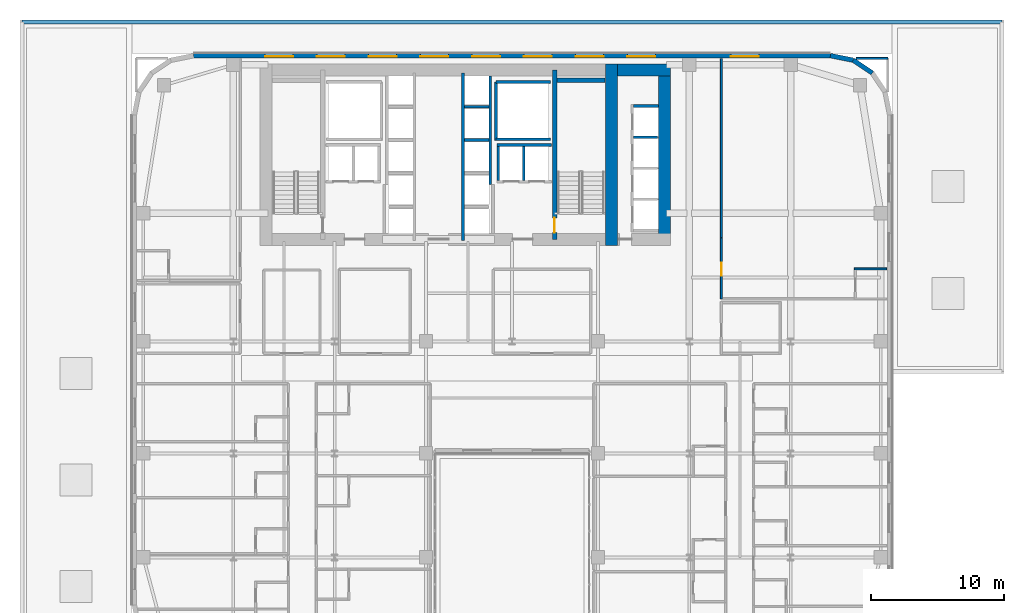
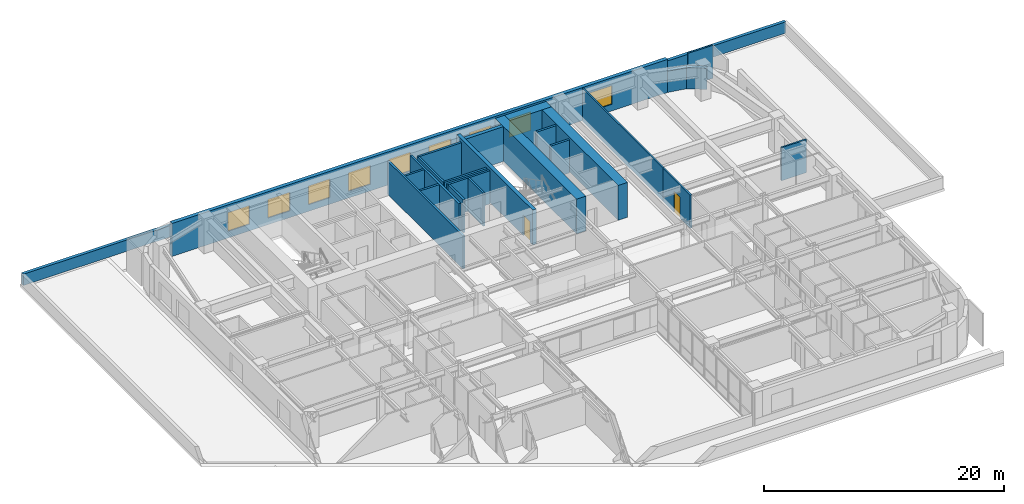
# One storey, part 18 of 25: 25 walls, 9 windows, 2 doors, 11 openings.
"""IFC4 building model written with IfcOpenShell, lengths in metres."""

from ifc_helpers import new_model, si_unit, direction, frame, frame_2d, origin, place, context, subcontext, project, spatial, rectangle, extrude, source, transform, mapped, material, layer, layer_set, type_object, type_shapes, element, fill, save


model = new_model("IFC4")

# Units and contexts
model_context = context("Model", 3, precision=1e-05, world=origin(), true_north=direction((0.0, 1.0)))
body_context = subcontext(model_context, "Body", "Model", "MODEL_VIEW")
ifc_project = project(units=[si_unit("LENGTHUNIT", "METRE"), si_unit("AREAUNIT", "SQUARE_METRE"), si_unit("VOLUMEUNIT", "CUBIC_METRE"), si_unit("PLANEANGLEUNIT", "RADIAN"), si_unit("MASSUNIT", "GRAM", prefix="KILO")], contexts=[model_context])

# Site, building, storey
site_placement = place(None, origin())
site = spatial("IfcSite", under=ifc_project, at=site_placement, CompositionType="ELEMENT")
building_placement = place(site_placement, origin())
building = spatial("IfcBuilding", under=site, at=building_placement, Name="Tolvann Quenvar Hotel", CompositionType="ELEMENT")
storey_placement = place(building_placement, frame((0.0, 0.0, 32.0)))
storey = spatial("IfcBuildingStorey", under=building, at=storey_placement, Name="L06", CompositionType="ELEMENT", Elevation=32.0)

# Walls
ifc_material_1 = material(Name="Concrete S80 (80 MPa)", Category="concrete")
ifc_layer_1 = layer(ifc_material_1, 0.89990234375)
ifc_layer_set_1 = layer_set([ifc_layer_1], Name="Concrete S80 (80 MPa)")
wall_type_1 = type_object("IfcWallType", Name="WALL_CORE_900", PredefinedType="SHEAR", material=ifc_layer_set_1)
wall_1_placement = place(storey_placement, frame((35.949951171875, 31.60009765625, 0.0), z_axis=(0.0, 0.0, 1.0), x_axis=(0.0, 1.0, 0.0)))
element("IfcWall", 1, at=wall_1_placement, inside=storey, type_object=wall_type_1, Name="Rear Core E Shear Wall (L06)", PredefinedType="SHEAR", context=body_context, shape_type="SweptSolid", body=[
    extrude(rectangle(XDim=13.599853515625, YDim=0.89990234375, at=frame_2d((6.7998046875, 0.0))), origin(), (0.0, 0.0, 1.0), 3.550048828125),
])
wall_2_placement = place(storey_placement, frame((36.39990234375, 44.75, 0.0), z_axis=(0.0, 0.0, 1.0), x_axis=(1.0, 0.0, 0.0)))
element("IfcWall", 2, at=wall_2_placement, inside=storey, type_object=wall_type_1, Name="Core East Annex Shear Wall ANN-N (L06)", PredefinedType="SHEAR", context=body_context, shape_type="SweptSolid", body=[
    extrude(rectangle(XDim=4.0, YDim=0.89990234375, at=frame_2d((2.0, 0.0))), origin(), (0.0, 0.0, 1.0), 3.550048828125),
])
wall_3_placement = place(storey_placement, frame((39.949951171875, 31.60009765625, 0.0), z_axis=(0.0, 0.0, 1.0), x_axis=(0.0, 1.0, 0.0)))
element("IfcWall", 3, at=wall_3_placement, inside=storey, type_object=wall_type_1, Name="Core East Annex Shear Wall ANN-E (L06)", PredefinedType="SHEAR", context=body_context, shape_type="SweptSolid", body=[
    extrude(rectangle(XDim=13.599853515625, YDim=0.89990234375, at=frame_2d((6.7998046875, 0.0))), origin(), (0.0, 0.0, 1.0), 3.550048828125),
])

# Wall, opening, door
ifc_material_2 = material(Name="Concrete S65 (65 MPa)", Category="concrete")
ifc_layer_2 = layer(ifc_material_2, 0.35009765625)
ifc_layer_set_2 = layer_set([ifc_layer_2], Name="Concrete S65 (65 MPa)")
wall_type_2 = type_object("IfcWallType", Name="WALL_CORE_INT_350", PredefinedType="SHEAR", material=ifc_layer_set_2)
wall_4_placement = place(storey_placement, frame((31.699951171875, 32.050048828125, 0.0), z_axis=(0.0, 0.0, 1.0), x_axis=(0.0, 1.0, 0.0)))
wall_4 = element("IfcWall", 4, at=wall_4_placement, inside=storey, type_object=wall_type_2, Name="Core Internal Web Shear Wall WEB-E (L06)", PredefinedType="SHEAR", context=body_context, shape_type="SweptSolid", body=[
    extrude(rectangle(XDim=12.699951171875, YDim=0.35009765625, at=frame_2d((6.35009765625, 0.0))), origin(), (0.0, 0.0, 1.0), 3.550048828125),
])
opening_1_placement = place(wall_4_placement, frame((1.60009765625, 0.0, 0.0), z_axis=(0.0, 0.0, 1.0), x_axis=(-1.0, 0.0, 0.0)))
opening_1 = element("IfcOpeningElement", 5, at=opening_1_placement, cuts=wall_4, Name="Opening FD-120", PredefinedType="OPENING", context=body_context, shape_type="SweptSolid", body=[
    extrude(rectangle(XDim=1.10009765625, YDim=2.1201171875, at=frame_2d((0.550048828125, 1.06005859375))), frame((0.0, 0.18505859375, 0.0), z_axis=(0.0, -1.0, 0.0), x_axis=(1.0, 0.0, 0.0)), (0.0, 0.0, 1.0), 0.3701171875),
])
ifc_material_3 = material(Name="Pressed galvanised steel fire-rated door set", Category="steel")
door_type_1 = type_object("IfcDoorType", Name="DOOR_FIRE_STAIR_1100", OperationType="NOTDEFINED", PredefinedType="DOOR", material=ifc_material_3)
shared_shape_1 = source(origin(), body_context, "Body", "SweptSolid", [
    extrude(rectangle(XDim=1.10009765625, YDim=2.1201171875, at=frame_2d((0.550048828125, 1.06005859375))), frame((0.0, 0.02490234375, 0.0), z_axis=(0.0, -1.0, 0.0), x_axis=(1.0, 0.0, 0.0)), (0.0, 0.0, 1.0), 0.050048828125),
])
type_shapes(door_type_1, [shared_shape_1])
door_1_placement = place(opening_1_placement, origin())
door_1 = element("IfcDoor", 6, at=door_1_placement, inside=storey, type_object=door_type_1, Name="Exit Stair ST-C2 Fire Door (L06)", OperationType="SINGLE_SWING_RIGHT", OverallHeight=2.1201171875, OverallWidth=1.10009765625, PredefinedType="DOOR", context=body_context, shape_type="MappedRepresentation", body=[
    mapped(shared_shape_1, transform((0.0, 0.0, 0.0), x_axis=(1.0, 0.0, 0.0), y_axis=(0.0, 1.0, 0.0), z_axis=(0.0, 0.0, 1.0), scale=1.0)),
])
fill(opening_1, door_1)

# Walls
wall_5_placement = place(storey_placement, frame((31.8798828125, 43.97509765625, 0.0), z_axis=(0.0, 0.0, 1.0), x_axis=(1.0, 0.0, 0.0)))
element("IfcWall", 7, at=wall_5_placement, inside=storey, type_object=wall_type_2, Name="Core Stair North Closing Shear Wall STC2-N (L06)", PredefinedType="SHEAR", context=body_context, shape_type="SweptSolid", body=[
    extrude(rectangle(XDim=3.60009765625, YDim=0.35009765625, at=frame_2d((1.800048828125, 0.0))), origin(), (0.0, 0.0, 1.0), 3.550048828125),
])
ifc_material_4 = material(Name="Kiln-fired red and buff architectural clay brickwork and terracotta masonry", Category="masonry")
ifc_layer_3 = layer(ifc_material_4, 0.35009765625)
ifc_layer_set_3 = layer_set([ifc_layer_3], Name="Kiln-fired red and buff architectural clay brickwork and terracotta masonry")
wall_type_3 = type_object("IfcWallType", Name="WALL_EXT_BRICK_350", PredefinedType="SOLIDWALL", material=ifc_layer_set_3)
wall_6_placement = place(storey_placement, frame((55.526611328125, 44.526611328125, 0.0), z_axis=(0.0, 0.0, 1.0), x_axis=(-0.831483840845, 0.55554893791, 0.0)))
element("IfcWall", 8, at=wall_6_placement, inside=storey, type_object=wall_type_3, Name="Exterior Chicago Brick Wall L06-E16", PredefinedType="SOLIDWALL", context=body_context, shape_type="SweptSolid", body=[
    extrude(rectangle(XDim=1.725341796875, YDim=0.35009765625, at=frame_2d((0.86279296875, 0.0))), origin(), (0.0, 0.0, 1.0), 2.159912109375),
])
wall_7_placement = place(storey_placement, frame((54.092041015625, 45.485107421875, 0.0), z_axis=(0.0, 0.0, 1.0), x_axis=(-0.980800971659, 0.195011420161, 0.0)))
element("IfcWall", 9, at=wall_7_placement, inside=storey, type_object=wall_type_3, Name="Exterior Chicago Brick Wall L06-E17", PredefinedType="SOLIDWALL", context=body_context, shape_type="SweptSolid", body=[
    extrude(rectangle(XDim=1.74267578125, YDim=0.35009765625, at=frame_2d((0.871337890625, 0.0))), origin(), (0.0, 0.0, 1.0), 2.159912109375),
])

# Wall, openings, windows
wall_8_placement = place(storey_placement, frame((52.3828125, 45.824951171875, 0.0), z_axis=(0.0, 0.0, 1.0), x_axis=(-1.0, 0.0, 0.0)))
wall_8 = element("IfcWall", 10, at=wall_8_placement, inside=storey, type_object=wall_type_3, Name="Exterior Chicago Brick Wall L06-E18", PredefinedType="SOLIDWALL", context=body_context, shape_type="SweptSolid", body=[
    extrude(rectangle(XDim=47.765625, YDim=0.35009765625, at=frame_2d((23.8828125, 0.0))), origin(), (0.0, 0.0, 1.0), 3.3701171875),
])
opening_2_placement = place(wall_8_placement, frame((5.37109375, 0.0, 0.679931640625)))
opening_2 = element("IfcOpeningElement", 11, at=opening_2_placement, cuts=wall_8, Name="Opening W-02", PredefinedType="OPENING", context=body_context, shape_type="SweptSolid", body=[
    extrude(rectangle(XDim=2.10009765625, YDim=1.89990234375, at=frame_2d((1.050048828125, 0.949951171875))), frame((0.0, 0.18505859375, 0.0), z_axis=(0.0, -1.0, 0.0), x_axis=(1.0, 0.0, 0.0)), (0.0, 0.0, 1.0), 0.3701171875),
])
opening_3_placement = place(wall_8_placement, frame((13.132080078125, 0.0, 0.679931640625)))
opening_3 = element("IfcOpeningElement", 12, at=opening_3_placement, cuts=wall_8, Name="Opening W-02", PredefinedType="OPENING", context=body_context, shape_type="SweptSolid", body=[
    extrude(rectangle(XDim=2.10009765625, YDim=1.89990234375, at=frame_2d((1.050048828125, 0.949951171875))), frame((0.0, 0.18505859375, 0.0), z_axis=(0.0, -1.0, 0.0), x_axis=(1.0, 0.0, 0.0)), (0.0, 0.0, 1.0), 0.3701171875),
])
opening_4_placement = place(wall_8_placement, frame((17.011962890625, 0.0, 0.679931640625)))
opening_4 = element("IfcOpeningElement", 13, at=opening_4_placement, cuts=wall_8, Name="Opening W-02", PredefinedType="OPENING", context=body_context, shape_type="SweptSolid", body=[
    extrude(rectangle(XDim=2.10009765625, YDim=1.89990234375, at=frame_2d((1.050048828125, 0.949951171875))), frame((0.0, 0.18505859375, 0.0), z_axis=(0.0, -1.0, 0.0), x_axis=(1.0, 0.0, 0.0)), (0.0, 0.0, 1.0), 0.3701171875),
])
opening_5_placement = place(wall_8_placement, frame((20.89306640625, 0.0, 0.679931640625)))
opening_5 = element("IfcOpeningElement", 14, at=opening_5_placement, cuts=wall_8, Name="Opening W-02", PredefinedType="OPENING", context=body_context, shape_type="SweptSolid", body=[
    extrude(rectangle(XDim=2.10009765625, YDim=1.89990234375, at=frame_2d((1.050048828125, 0.949951171875))), frame((0.0, 0.18505859375, 0.0), z_axis=(0.0, -1.0, 0.0), x_axis=(1.0, 0.0, 0.0)), (0.0, 0.0, 1.0), 0.3701171875),
])
opening_6_placement = place(wall_8_placement, frame((24.77294921875, 0.0, 0.679931640625)))
opening_6 = element("IfcOpeningElement", 15, at=opening_6_placement, cuts=wall_8, Name="Opening W-02", PredefinedType="OPENING", context=body_context, shape_type="SweptSolid", body=[
    extrude(rectangle(XDim=2.10009765625, YDim=1.89990234375, at=frame_2d((1.050048828125, 0.949951171875))), frame((0.0, 0.18505859375, 0.0), z_axis=(0.0, -1.0, 0.0), x_axis=(1.0, 0.0, 0.0)), (0.0, 0.0, 1.0), 0.3701171875),
])
opening_7_placement = place(wall_8_placement, frame((28.654052734375, 0.0, 0.679931640625)))
opening_7 = element("IfcOpeningElement", 16, at=opening_7_placement, cuts=wall_8, Name="Opening W-02", PredefinedType="OPENING", context=body_context, shape_type="SweptSolid", body=[
    extrude(rectangle(XDim=2.10009765625, YDim=1.89990234375, at=frame_2d((1.050048828125, 0.949951171875))), frame((0.0, 0.18505859375, 0.0), z_axis=(0.0, -1.0, 0.0), x_axis=(1.0, 0.0, 0.0)), (0.0, 0.0, 1.0), 0.3701171875),
])
opening_8_placement = place(wall_8_placement, frame((32.533935546875, 0.0, 0.679931640625)))
opening_8 = element("IfcOpeningElement", 17, at=opening_8_placement, cuts=wall_8, Name="Opening W-02", PredefinedType="OPENING", context=body_context, shape_type="SweptSolid", body=[
    extrude(rectangle(XDim=2.10009765625, YDim=1.89990234375, at=frame_2d((1.050048828125, 0.949951171875))), frame((0.0, 0.18505859375, 0.0), z_axis=(0.0, -1.0, 0.0), x_axis=(1.0, 0.0, 0.0)), (0.0, 0.0, 1.0), 0.3701171875),
])
opening_9_placement = place(wall_8_placement, frame((36.4140625, 0.0, 0.679931640625)))
opening_9 = element("IfcOpeningElement", 18, at=opening_9_placement, cuts=wall_8, Name="Opening W-02", PredefinedType="OPENING", context=body_context, shape_type="SweptSolid", body=[
    extrude(rectangle(XDim=2.10009765625, YDim=1.89990234375, at=frame_2d((1.050048828125, 0.949951171875))), frame((0.0, 0.18505859375, 0.0), z_axis=(0.0, -1.0, 0.0), x_axis=(1.0, 0.0, 0.0)), (0.0, 0.0, 1.0), 0.3701171875),
])
opening_10_placement = place(wall_8_placement, frame((40.294921875, 0.0, 0.679931640625)))
opening_10 = element("IfcOpeningElement", 19, at=opening_10_placement, cuts=wall_8, Name="Opening W-02", PredefinedType="OPENING", context=body_context, shape_type="SweptSolid", body=[
    extrude(rectangle(XDim=2.10009765625, YDim=1.89990234375, at=frame_2d((1.050048828125, 0.949951171875))), frame((0.0, 0.18505859375, 0.0), z_axis=(0.0, -1.0, 0.0), x_axis=(1.0, 0.0, 0.0)), (0.0, 0.0, 1.0), 0.3701171875),
])
ifc_material_5 = material(Name="Thermally broken bronze-anodised aluminium frame with double low-E glazing", Category="aluminium")
window_type = type_object("IfcWindowType", Name="WIN_CHI_2100x2050", PartitioningType="TRIPLE_PANEL_HORIZONTAL", PredefinedType="WINDOW", material=ifc_material_5)
shared_shape_2 = source(origin(), body_context, "Body", "SweptSolid", [
    extrude(rectangle(XDim=2.10009765625, YDim=1.89990234375, at=frame_2d((1.050048828125, 0.949951171875))), frame((0.0, 0.090087890625, 0.0), z_axis=(0.0, -1.0, 0.0), x_axis=(1.0, 0.0, 0.0)), (0.0, 0.0, 1.0), 0.06005859375),
])
type_shapes(window_type, [shared_shape_2])
window_1_placement = place(opening_2_placement, origin())
window_1 = element("IfcWindow", 20, at=window_1_placement, inside=storey, type_object=window_type, Name="Chicago Window W-02 (EW-L06-E18-W01)", OverallHeight=1.89990234375, OverallWidth=2.10009765625, PartitioningType="TRIPLE_PANEL_HORIZONTAL", PredefinedType="WINDOW", context=body_context, shape_type="MappedRepresentation", body=[
    mapped(shared_shape_2, transform((0.0, 0.0, 0.0), x_axis=(1.0, 0.0, 0.0), y_axis=(0.0, 1.0, 0.0), z_axis=(0.0, 0.0, 1.0), scale=1.0)),
])
fill(opening_2, window_1)
window_2_placement = place(opening_3_placement, origin())
window_2 = element("IfcWindow", 21, at=window_2_placement, inside=storey, type_object=window_type, Name="Chicago Window W-02 (EW-L06-E18-W02)", OverallHeight=1.89990234375, OverallWidth=2.10009765625, PartitioningType="TRIPLE_PANEL_HORIZONTAL", PredefinedType="WINDOW", context=body_context, shape_type="MappedRepresentation", body=[
    mapped(shared_shape_2, transform((0.0, 0.0, 0.0), x_axis=(1.0, 0.0, 0.0), y_axis=(0.0, 1.0, 0.0), z_axis=(0.0, 0.0, 1.0), scale=1.0)),
])
fill(opening_3, window_2)
window_3_placement = place(opening_4_placement, origin())
window_3 = element("IfcWindow", 22, at=window_3_placement, inside=storey, type_object=window_type, Name="Chicago Window W-02 (EW-L06-E18-W03)", OverallHeight=1.89990234375, OverallWidth=2.10009765625, PartitioningType="TRIPLE_PANEL_HORIZONTAL", PredefinedType="WINDOW", context=body_context, shape_type="MappedRepresentation", body=[
    mapped(shared_shape_2, transform((0.0, 0.0, 0.0), x_axis=(1.0, 0.0, 0.0), y_axis=(0.0, 1.0, 0.0), z_axis=(0.0, 0.0, 1.0), scale=1.0)),
])
fill(opening_4, window_3)
window_4_placement = place(opening_5_placement, origin())
window_4 = element("IfcWindow", 23, at=window_4_placement, inside=storey, type_object=window_type, Name="Chicago Window W-02 (EW-L06-E18-W04)", OverallHeight=1.89990234375, OverallWidth=2.10009765625, PartitioningType="TRIPLE_PANEL_HORIZONTAL", PredefinedType="WINDOW", context=body_context, shape_type="MappedRepresentation", body=[
    mapped(shared_shape_2, transform((0.0, 0.0, 0.0), x_axis=(1.0, 0.0, 0.0), y_axis=(0.0, 1.0, 0.0), z_axis=(0.0, 0.0, 1.0), scale=1.0)),
])
fill(opening_5, window_4)
window_5_placement = place(opening_6_placement, origin())
window_5 = element("IfcWindow", 24, at=window_5_placement, inside=storey, type_object=window_type, Name="Chicago Window W-02 (EW-L06-E18-W05)", OverallHeight=1.89990234375, OverallWidth=2.10009765625, PartitioningType="TRIPLE_PANEL_HORIZONTAL", PredefinedType="WINDOW", context=body_context, shape_type="MappedRepresentation", body=[
    mapped(shared_shape_2, transform((0.0, 0.0, 0.0), x_axis=(1.0, 0.0, 0.0), y_axis=(0.0, 1.0, 0.0), z_axis=(0.0, 0.0, 1.0), scale=1.0)),
])
fill(opening_6, window_5)
window_6_placement = place(opening_7_placement, origin())
window_6 = element("IfcWindow", 25, at=window_6_placement, inside=storey, type_object=window_type, Name="Chicago Window W-02 (EW-L06-E18-W06)", OverallHeight=1.89990234375, OverallWidth=2.10009765625, PartitioningType="TRIPLE_PANEL_HORIZONTAL", PredefinedType="WINDOW", context=body_context, shape_type="MappedRepresentation", body=[
    mapped(shared_shape_2, transform((0.0, 0.0, 0.0), x_axis=(1.0, 0.0, 0.0), y_axis=(0.0, 1.0, 0.0), z_axis=(0.0, 0.0, 1.0), scale=1.0)),
])
fill(opening_7, window_6)
window_7_placement = place(opening_8_placement, origin())
window_7 = element("IfcWindow", 26, at=window_7_placement, inside=storey, type_object=window_type, Name="Chicago Window W-02 (EW-L06-E18-W07)", OverallHeight=1.89990234375, OverallWidth=2.10009765625, PartitioningType="TRIPLE_PANEL_HORIZONTAL", PredefinedType="WINDOW", context=body_context, shape_type="MappedRepresentation", body=[
    mapped(shared_shape_2, transform((0.0, 0.0, 0.0), x_axis=(1.0, 0.0, 0.0), y_axis=(0.0, 1.0, 0.0), z_axis=(0.0, 0.0, 1.0), scale=1.0)),
])
fill(opening_8, window_7)
window_8_placement = place(opening_9_placement, origin())
window_8 = element("IfcWindow", 27, at=window_8_placement, inside=storey, type_object=window_type, Name="Chicago Window W-02 (EW-L06-E18-W08)", OverallHeight=1.89990234375, OverallWidth=2.10009765625, PartitioningType="TRIPLE_PANEL_HORIZONTAL", PredefinedType="WINDOW", context=body_context, shape_type="MappedRepresentation", body=[
    mapped(shared_shape_2, transform((0.0, 0.0, 0.0), x_axis=(1.0, 0.0, 0.0), y_axis=(0.0, 1.0, 0.0), z_axis=(0.0, 0.0, 1.0), scale=1.0)),
])
fill(opening_9, window_8)
window_9_placement = place(opening_10_placement, origin())
window_9 = element("IfcWindow", 28, at=window_9_placement, inside=storey, type_object=window_type, Name="Chicago Window W-02 (EW-L06-E18-W09)", OverallHeight=1.89990234375, OverallWidth=2.10009765625, PartitioningType="TRIPLE_PANEL_HORIZONTAL", PredefinedType="WINDOW", context=body_context, shape_type="MappedRepresentation", body=[
    mapped(shared_shape_2, transform((0.0, 0.0, 0.0), x_axis=(1.0, 0.0, 0.0), y_axis=(0.0, 1.0, 0.0), z_axis=(0.0, 0.0, 1.0), scale=1.0)),
])
fill(opening_10, window_9)

# Walls
ifc_layer_4 = layer(ifc_material_4, 0.300048828125)
ifc_layer_set_4 = layer_set([ifc_layer_4], Name="Kiln-fired red and buff architectural clay brickwork and terracotta masonry")
wall_type_4 = type_object("IfcWallType", Name="WALL_PARAPET_300", PredefinedType="PARAPET", material=ifc_layer_set_4)
wall_9_placement = place(storey_placement, frame((-8.25, 48.35009765625, 0.0), z_axis=(0.0, 0.0, 1.0), x_axis=(1.0, 0.0, 0.0)))
element("IfcWall", 29, at=wall_9_placement, inside=storey, type_object=wall_type_4, Name="Podium Roof Parapet POD-N", PredefinedType="PARAPET", context=body_context, shape_type="SweptSolid", body=[
    extrude(rectangle(XDim=73.5, YDim=0.300048828125, at=frame_2d((36.75, 0.0))), origin(), (0.0, 0.0, 1.0), 1.14990234375),
])
ifc_material_6 = material(Name="Acoustic twin-stud fire-rated gypsum plasterboard partition")
ifc_layer_5 = layer(ifc_material_6, 0.14990234375)
ifc_layer_set_5 = layer_set([ifc_layer_5], Name="Acoustic twin-stud fire-rated gypsum plasterboard partition")
wall_type_5 = type_object("IfcWallType", Name="WALL_PART_SUITE_150", PredefinedType="PARTITIONING", material=ifc_layer_set_5)
wall_10_placement = place(storey_placement, frame((54.179931640625, 29.830078125, 0.0), z_axis=(0.0, 0.0, 1.0), x_axis=(1.0, 0.0, 0.0)))
element("IfcWall", 30, at=wall_10_placement, inside=storey, type_object=wall_type_5, Name="Interior Partition PT-SPC-L06-ENS-NE01-N", PredefinedType="PARTITIONING", context=body_context, shape_type="SweptSolid", body=[
    extrude(rectangle(XDim=2.4150390625, YDim=0.14990234375, at=frame_2d((1.20751953125, 0.0))), origin(), (0.0, 0.0, 1.0), 3.3701171875),
])

# Wall, opening, door
wall_11_placement = place(storey_placement, frame((44.199951171875, 27.580078125, 0.0), z_axis=(0.0, 0.0, 1.0), x_axis=(0.0, 1.0, 0.0)))
wall_11 = element("IfcWall", 31, at=wall_11_placement, inside=storey, type_object=wall_type_5, Name="Interior Partition PT-SPC-L06-RM-NE01-ENT", PredefinedType="PARTITIONING", context=body_context, shape_type="SweptSolid", body=[
    extrude(rectangle(XDim=4.579833984375, YDim=0.14990234375, at=frame_2d((2.2900390625, 0.0))), origin(), (0.0, 0.0, 1.0), 3.3701171875),
])
opening_11_placement = place(wall_11_placement, frame((1.7451171875, 0.0, 0.0)))
opening_11 = element("IfcOpeningElement", 32, at=opening_11_placement, cuts=wall_11, Name="Opening SD-01", PredefinedType="OPENING", context=body_context, shape_type="SweptSolid", body=[
    extrude(rectangle(XDim=0.97998046875, YDim=2.1201171875, at=frame_2d((0.489990234375, 1.06005859375))), frame((0.0, 0.0849609375, 0.0), z_axis=(0.0, -1.0, 0.0), x_axis=(1.0, 0.0, 0.0)), (0.0, 0.0, 1.0), 0.169921875),
])
ifc_material_7 = material(Name="Solid-core American oak acoustic fire door leaf in steel frame", Category="steel")
door_type_2 = type_object("IfcDoorType", Name="DOOR_SUITE_980", OperationType="NOTDEFINED", PredefinedType="DOOR", material=ifc_material_7)
shared_shape_3 = source(origin(), body_context, "Body", "SweptSolid", [
    extrude(rectangle(XDim=0.97998046875, YDim=2.1201171875, at=frame_2d((0.489990234375, 1.06005859375))), frame((0.0, 0.02490234375, 0.0), z_axis=(0.0, -1.0, 0.0), x_axis=(1.0, 0.0, 0.0)), (0.0, 0.0, 1.0), 0.050048828125),
])
type_shapes(door_type_2, [shared_shape_3])
door_2_placement = place(opening_11_placement, origin())
door_2 = element("IfcDoor", 33, at=door_2_placement, inside=storey, type_object=door_type_2, Name="Interior Door DOOR-SPC-L06-RM-NE01", OperationType="SINGLE_SWING_RIGHT", OverallHeight=2.1201171875, OverallWidth=0.97998046875, PredefinedType="DOOR", context=body_context, shape_type="MappedRepresentation", body=[
    mapped(shared_shape_3, transform((0.0, 0.0, 0.0), x_axis=(1.0, 0.0, 0.0), y_axis=(0.0, 1.0, 0.0), z_axis=(0.0, 0.0, 1.0), scale=1.0)),
])
fill(opening_11, door_2)

# Walls
wall_12_placement = place(storey_placement, frame((54.303955078125, 45.6201171875, 0.0), z_axis=(0.0, 0.0, 1.0), x_axis=(1.0, 0.0, 0.0)))
element("IfcWall", 34, at=wall_12_placement, inside=storey, type_object=wall_type_5, Name="Interior Partition PT-SPC-L06-RM-NE01-E5", PredefinedType="PARTITIONING", context=body_context, shape_type="SweptSolid", body=[
    extrude(rectangle(XDim=2.39599609375, YDim=0.14990234375, at=frame_2d((1.197998046875, 0.0))), origin(), (0.0, 0.0, 1.0), 3.3701171875),
])
wall_13_placement = place(storey_placement, frame((44.199951171875, 32.169921875, 0.0), z_axis=(0.0, 0.0, 1.0), x_axis=(0.0, 1.0, 0.0)))
element("IfcWall", 35, at=wall_13_placement, inside=storey, type_object=wall_type_5, Name="Interior Partition PT-SPC-L06-RM-NE01-E6", PredefinedType="PARTITIONING", context=body_context, shape_type="SweptSolid", body=[
    extrude(rectangle(XDim=13.425048828125, YDim=0.14990234375, at=frame_2d((6.71240234375, 0.0))), origin(), (0.0, 0.0, 1.0), 3.3701171875),
])
ifc_material_8 = material(Name="Concrete N40 (40 MPa)", Category="concrete")
ifc_layer_6 = layer(ifc_material_8, 0.199951171875)
ifc_layer_set_6 = layer_set([ifc_layer_6], Name="Concrete N40 (40 MPa)")
wall_type_6 = type_object("IfcWallType", Name="WALL_SHAFT_200", PredefinedType="SOLIDWALL", material=ifc_layer_set_6)
wall_14_placement = place(storey_placement, frame((27.300048828125, 39.449951171875, 0.0), z_axis=(0.0, 0.0, 1.0), x_axis=(0.0, 1.0, 0.0)))
element("IfcWall", 36, at=wall_14_placement, inside=storey, type_object=wall_type_6, Name="Service Riser E Shaft Wall IN (L06)", PredefinedType="SOLIDWALL", context=body_context, shape_type="SweptSolid", body=[
    extrude(rectangle(XDim=4.400146484375, YDim=0.199951171875, at=frame_2d((2.2001953125, 0.0))), origin(), (0.0, 0.0, 1.0), 3.3701171875),
])
for number, where, z_axis, x_axis, name in (
    (37, (27.300048828125, 39.550048828125, 0.0), (0.0, 0.0, 1.0), (1.0, 0.0, 0.0), "Service Riser E Shaft Wall S (L06)"),
    (38, (27.300048828125, 43.85009765625, 0.0), (0.0, 0.0, 1.0), (1.0, 0.0, 0.0), "Service Riser E Shaft Wall N (L06)"),
):
    element("IfcWall", number, at=place(storey_placement, frame(where, z_axis=z_axis, x_axis=x_axis)), inside=storey, type_object=wall_type_6, Name=name, PredefinedType="SOLIDWALL", context=body_context, shape_type="SweptSolid", body=[
        extrude(rectangle(XDim=4.099853515625, YDim=0.199951171875, at=frame_2d((2.0498046875, 0.0))), origin(), (0.0, 0.0, 1.0), 3.3701171875),
    ])
wall_15_placement = place(storey_placement, frame((27.375, 39.1201171875, 0.0), z_axis=(0.0, 0.0, 1.0), x_axis=(1.0, 0.0, 0.0)))
element("IfcWall", 39, at=wall_15_placement, inside=storey, type_object=wall_type_6, Name="Lift Bank SEC1 Hoistway Rear Wall (L06)", PredefinedType="SOLIDWALL", context=body_context, shape_type="SweptSolid", body=[
    extrude(rectangle(XDim=4.074951171875, YDim=0.199951171875, at=frame_2d((2.03759765625, 0.0))), origin(), (0.0, 0.0, 1.0), 3.3701171875),
])
for number, where, z_axis, x_axis, name in (
    (40, (27.47509765625, 36.47998046875, 0.0), (0.0, 0.0, 1.0), (0.0, 1.0, 0.0), "Lift Bank SEC1 Hoistway Cheek Wall 1 (L06)"),
    (41, (29.387451171875, 36.47998046875, 0.0), (0.0, 0.0, 1.0), (0.0, 1.0, 0.0), "Lift Bank SEC1 Divider Wall 1 (L06)"),
):
    element("IfcWall", number, at=place(storey_placement, frame(where, z_axis=z_axis, x_axis=x_axis)), inside=storey, type_object=wall_type_6, Name=name, PredefinedType="SOLIDWALL", context=body_context, shape_type="SweptSolid", body=[
        extrude(rectangle(XDim=2.5400390625, YDim=0.199951171875, at=frame_2d((1.27001953125, 0.0))), origin(), (0.0, 0.0, 1.0), 3.3701171875),
    ])
wall_16_placement = place(storey_placement, frame((24.830078125, 31.9599609375, 0.0), z_axis=(0.0, 0.0, 1.0), x_axis=(0.0, 1.0, 0.0)))
element("IfcWall", 42, at=wall_16_placement, inside=storey, type_object=wall_type_6, Name="Lift Bank W24.9C1 Hoistway Front Wall (L06)", PredefinedType="SOLIDWALL", context=body_context, shape_type="SweptSolid", body=[
    extrude(rectangle(XDim=12.580078125, YDim=0.199951171875, at=frame_2d((6.2900390625, 0.0))), origin(), (0.0, 0.0, 1.0), 3.3701171875),
])
wall_17_placement = place(storey_placement, frame((26.8701171875, 36.159912109375, 0.0), z_axis=(0.0, 0.0, 1.0), x_axis=(0.0, 1.0, 0.0)))
element("IfcWall", 43, at=wall_17_placement, inside=storey, type_object=wall_type_6, Name="Lift Bank W24.9C1 Hoistway Rear Wall (L06)", PredefinedType="SOLIDWALL", context=body_context, shape_type="SweptSolid", body=[
    extrude(rectangle(XDim=8.135986328125, YDim=0.199951171875, at=frame_2d((4.06787109375, 0.0))), origin(), (0.0, 0.0, 1.0), 3.3701171875),
])
for number, where, z_axis, x_axis, name in (
    (44, (24.929931640625, 39.5, 0.0), (0.0, 0.0, 1.0), (1.0, 0.0, 0.0), "Lift Bank W24.9C1 Divider Wall 3 (L06)"),
    (45, (24.929931640625, 42.0, 0.0), (0.0, 0.0, 1.0), (1.0, 0.0, 0.0), "Lift Bank W24.9C1 Divider Wall 4 (L06)"),
):
    element("IfcWall", number, at=place(storey_placement, frame(where, z_axis=z_axis, x_axis=x_axis)), inside=storey, type_object=wall_type_6, Name=name, PredefinedType="SOLIDWALL", context=body_context, shape_type="SweptSolid", body=[
        extrude(rectangle(XDim=1.840087890625, YDim=0.199951171875, at=frame_2d((0.919921875, 0.0))), origin(), (0.0, 0.0, 1.0), 3.3701171875),
    ])
wall_18_placement = place(storey_placement, frame((37.6298828125, 42.050048828125, 0.0), z_axis=(0.0, 0.0, 1.0), x_axis=(1.0, 0.0, 0.0)))
element("IfcWall", 46, at=wall_18_placement, inside=storey, type_object=wall_type_6, Name="Lift Bank W37.6C1 Hoistway Cheek Wall 2 (L06)", PredefinedType="SOLIDWALL", context=body_context, shape_type="SweptSolid", body=[
    extrude(rectangle(XDim=1.8701171875, YDim=0.199951171875, at=frame_2d((0.93505859375, 0.0))), origin(), (0.0, 0.0, 1.0), 3.3701171875),
])
wall_19_placement = place(storey_placement, frame((37.6298828125, 39.699951171875, 0.0), z_axis=(0.0, 0.0, 1.0), x_axis=(1.0, 0.0, 0.0)))
element("IfcWall", 47, at=wall_19_placement, inside=storey, type_object=wall_type_6, Name="Lift Bank W37.6C1 Divider Wall 3 (L06)", PredefinedType="SOLIDWALL", context=body_context, shape_type="SweptSolid", body=[
    extrude(rectangle(XDim=1.800048828125, YDim=0.199951171875, at=frame_2d((0.89990234375, 0.0))), origin(), (0.0, 0.0, 1.0), 3.3701171875),
])

save(model, "model.ifc")
